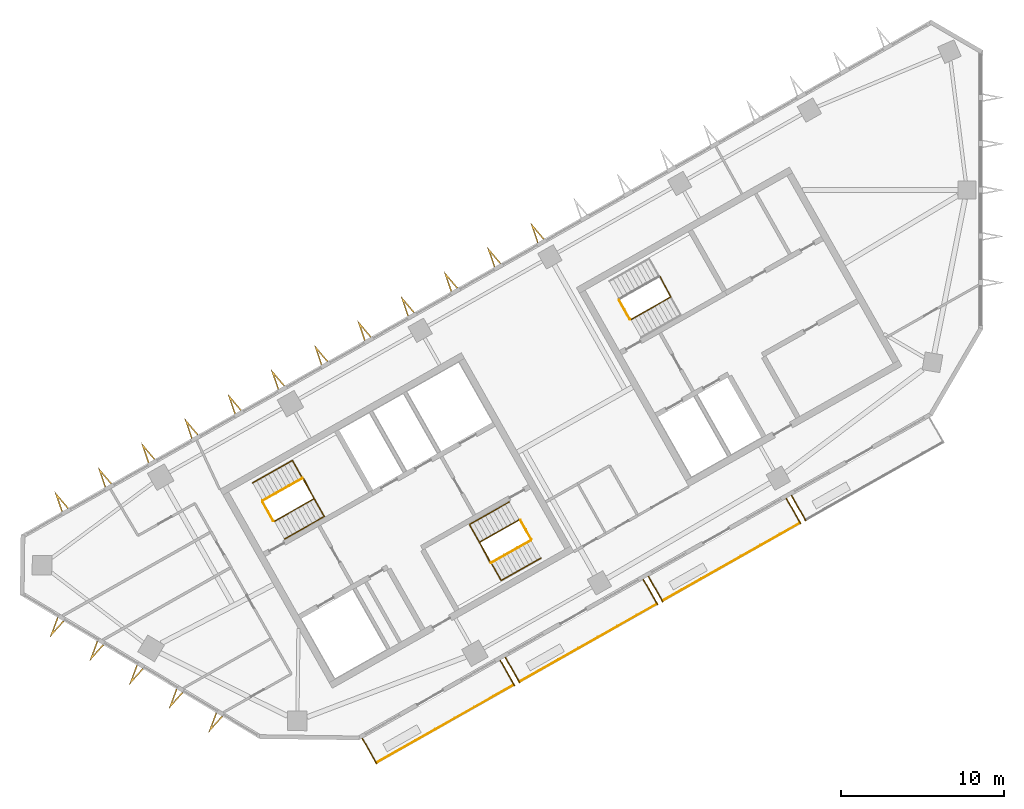
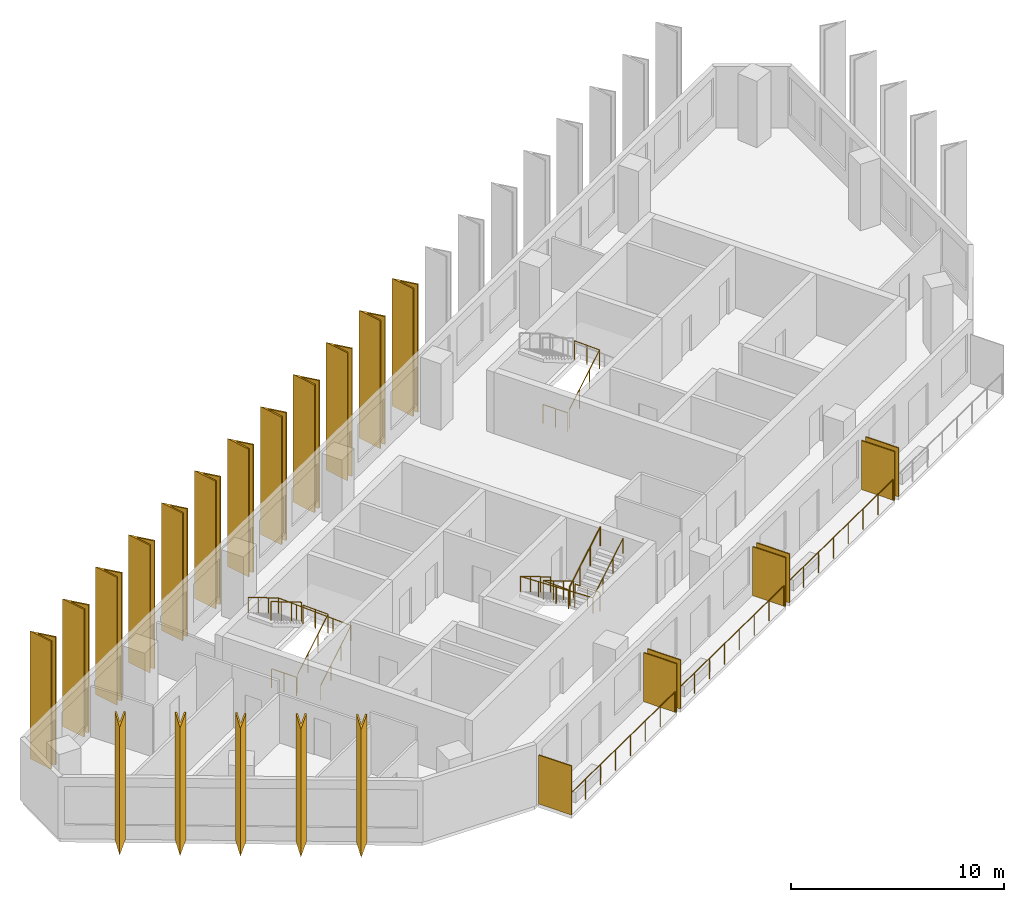
# One storey, part 6 of 8: 24 shading devices, 13 railings.
"""IFC4 building model written with IfcOpenShell, lengths in metres."""

from ifc_helpers import new_model, si_unit, direction, frame, origin, origin_2d, place, context, subcontext, project, spatial, polyline, rectangle, circle, outline, extrude, material, layer, layer_set, type_object, element, save


model = new_model("IFC4")

# Units and contexts
model_context = context("Model", 3, precision=1e-05, world=origin(), true_north=direction((0.0, 1.0)))
body_context = subcontext(model_context, "Body", "Model", "MODEL_VIEW")
ifc_project = project(units=[si_unit("LENGTHUNIT", "METRE"), si_unit("AREAUNIT", "SQUARE_METRE"), si_unit("VOLUMEUNIT", "CUBIC_METRE"), si_unit("PLANEANGLEUNIT", "RADIAN"), si_unit("MASSUNIT", "GRAM", prefix="KILO")], contexts=[model_context])

# Site, building, storey
site_placement = place(None, origin())
site = spatial("IfcSite", under=ifc_project, at=site_placement, CompositionType="ELEMENT")
building_placement = place(site_placement, origin())
building = spatial("IfcBuilding", under=site, at=building_placement, Name="Binnacle Exchange Tower", CompositionType="ELEMENT")
storey_placement = place(building_placement, frame((0.0, 0.0, 300.699951171875)))
storey = spatial("IfcBuildingStorey", under=building, at=storey_placement, Name="L67", CompositionType="ELEMENT", Elevation=300.699951171875)

# Railings
ifc_material_1 = material(Name="Bronze anodised aluminium frame", Category="aluminium")
railing_type_1 = type_object("IfcRailingType", Name="GUARD 1200", PredefinedType="GUARDRAIL", material=ifc_material_1)
for number, where, name in (
    (1, (-37.006591796875, 24.94287109375, 0.0), "Balcony guard H07-B00 L67"),
    (2, (-28.24365234375, 29.900634765625, 0.0), "Balcony guard H07-B01 L67"),
):
    element("IfcRailing", number, at=place(storey_placement, frame(where)), inside=storey, type_object=railing_type_1, Name=name, PredefinedType="GUARDRAIL", context=body_context, shape_type="SweptSolid", body=[
        extrude(circle(Radius=0.02392578125, at=origin_2d()), frame((0.0, 0.0, 1.17578125), z_axis=(0.870359171481, 0.492417417055, 0.0), x_axis=(-0.492417417055, 0.870359171481, 0.0)), (0.0, 0.0, 1.0), 9.648193359375),
        extrude(circle(Radius=0.02099609375, at=origin_2d()), origin(), (0.0, 0.0, 1.0), 1.15185546875),
        extrude(circle(Radius=0.02099609375, at=origin_2d()), frame((1.19970703125, 0.6787109375, 0.0)), (0.0, 0.0, 1.0), 1.15185546875),
        extrude(circle(Radius=0.02099609375, at=origin_2d()), frame((2.399169921875, 1.357421875, 0.0)), (0.0, 0.0, 1.0), 1.15185546875),
        extrude(circle(Radius=0.02099609375, at=origin_2d()), frame((3.598876953125, 2.0361328125, 0.0)), (0.0, 0.0, 1.0), 1.15185546875),
        extrude(circle(Radius=0.02099609375, at=origin_2d()), frame((4.798583984375, 2.71484375, 0.0)), (0.0, 0.0, 1.0), 1.15185546875),
        extrude(circle(Radius=0.02099609375, at=origin_2d()), frame((5.998291015625, 3.3935546875, 0.0)), (0.0, 0.0, 1.0), 1.15185546875),
        extrude(circle(Radius=0.02099609375, at=origin_2d()), frame((7.19775390625, 4.072265625, 0.0)), (0.0, 0.0, 1.0), 1.15185546875),
        extrude(circle(Radius=0.02099609375, at=origin_2d()), frame((8.3974609375, 4.7509765625, 0.0)), (0.0, 0.0, 1.0), 1.15185546875),
    ])
railing_1_placement = place(storey_placement, frame((-19.480712890625, 34.8583984375, 0.0)))
element("IfcRailing", 3, at=railing_1_placement, inside=storey, type_object=railing_type_1, Name="Balcony guard H07-B02 L67", PredefinedType="GUARDRAIL", context=body_context, shape_type="SweptSolid", body=[
    extrude(circle(Radius=0.02392578125, at=origin_2d()), frame((0.0, 0.0, 1.17578125), z_axis=(0.870342190373, 0.492447430349, 0.0), x_axis=(-0.492447430349, 0.870342190373, 0.0)), (0.0, 0.0, 1.0), 9.648193359375),
    extrude(circle(Radius=0.02099609375, at=origin_2d()), origin(), (0.0, 0.0, 1.0), 1.15185546875),
    extrude(circle(Radius=0.02099609375, at=origin_2d()), frame((1.19970703125, 0.6787109375, 0.0)), (0.0, 0.0, 1.0), 1.15185546875),
    extrude(circle(Radius=0.02099609375, at=origin_2d()), frame((2.399169921875, 1.357421875, 0.0)), (0.0, 0.0, 1.0), 1.15185546875),
    extrude(circle(Radius=0.02099609375, at=origin_2d()), frame((3.598876953125, 2.0361328125, 0.0)), (0.0, 0.0, 1.0), 1.15185546875),
    extrude(circle(Radius=0.02099609375, at=origin_2d()), frame((4.79833984375, 2.715087890625, 0.0)), (0.0, 0.0, 1.0), 1.15185546875),
    extrude(circle(Radius=0.02099609375, at=origin_2d()), frame((5.998046875, 3.393798828125, 0.0)), (0.0, 0.0, 1.0), 1.15185546875),
    extrude(circle(Radius=0.02099609375, at=origin_2d()), frame((7.197509765625, 4.072509765625, 0.0)), (0.0, 0.0, 1.0), 1.15185546875),
    extrude(circle(Radius=0.02099609375, at=origin_2d()), frame((8.397216796875, 4.751220703125, 0.0)), (0.0, 0.0, 1.0), 1.15185546875),
])

# Shading devices
ifc_material_2 = material(Name="Bronze aluminium louvre", Category="aluminium")
ifc_layer = layer(ifc_material_2, 0.06005859375)
ifc_layer_set = layer_set([ifc_layer], Name="PLANTED SCREEN 60x2800")
shading_device_type_1 = type_object("IfcShadingDeviceType", Name="PLANTED SCREEN 60x2800", PredefinedType="USERDEFINED", material=ifc_layer_set)
for number, where, z_axis, x_axis, name in (
    (4, (-37.436279296875, 25.641845703125, 0.0), (0.0, 0.0, 1.0), (0.87035569594, 0.492423560103, 0.0), "Planted screen H07-B00a L67"),
    (5, (-28.98681640625, 30.42236328125, 0.0), (0.0, 0.0, 1.0), (0.87035569594, 0.492423560103, 0.0), "Planted screen H07-B00b L67"),
    (6, (-28.673583984375, 30.599609375, 0.0), (0.0, 0.0, 1.0), (0.87035569594, 0.492423560103, 0.0), "Planted screen H07-B01a L67"),
    (7, (-20.223876953125, 35.380126953125, 0.0), (0.0, 0.0, 1.0), (0.87035569594, 0.492423560103, 0.0), "Planted screen H07-B01b L67"),
    (8, (-19.91064453125, 35.5576171875, 0.0), (0.0, 0.0, 1.0), (0.87035569594, 0.492423560103, 0.0), "Planted screen H07-B02a L67"),
    (9, (-11.461181640625, 40.337890625, 0.0), (0.0, 0.0, 1.0), (0.87035569594, 0.492423560103, 0.0), "Planted screen H07-B02b L67"),
    (10, (-11.147705078125, 40.51513671875, 0.0), (0.0, 0.0, 1.0), (0.87035569594, 0.492423560103, 0.0), "Planted screen H07-B03a L67"),
):
    element("IfcShadingDevice", number, at=place(storey_placement, frame(where, z_axis=z_axis, x_axis=x_axis)), inside=storey, type_object=shading_device_type_1, Name=name, ObjectType="SCREEN", PredefinedType="USERDEFINED", context=body_context, shape_type="SweptSolid", body=[
        extrude(rectangle(XDim=0.06005859375, YDim=1.800048828125, at=origin_2d()), origin(), (0.0, 0.0, 1.0), 2.800048828125),
    ])

# Railings
ifc_material_3 = material(Name="Steel guard rail", Category="steel")
railing_type_2 = type_object("IfcRailingType", Name="STAIR GUARD 1100", PredefinedType="GUARDRAIL", material=ifc_material_3)
railing_2_placement = place(storey_placement, frame((-43.26171875, 39.71728515625, 0.1728515625)))
element("IfcRailing", 11, at=railing_2_placement, inside=storey, type_object=railing_type_2, Name="L67 STA1 stair guard 1", PredefinedType="GUARDRAIL", context=body_context, shape_type="SweptSolid", body=[
    extrude(circle(Radius=0.02392578125, at=origin_2d()), frame((0.0, 0.0, 1.076171875), z_axis=(0.740737961854, 0.419123222656, 0.525017138862), x_axis=(-0.492453686477, 0.870338650569, 0.0)), (0.0, 0.0, 1.0), 3.2900390625),
    extrude(circle(Radius=0.02392578125, at=origin_2d()), frame((2.43701171875, 1.37890625, 2.80322265625), z_axis=(-0.461100321709, 0.887348011391, 0.0), x_axis=(-0.887348011391, -0.461100321709, 0.0)), (0.0, 0.0, 1.0), 1.40087890625),
    extrude(circle(Radius=0.02099609375, at=origin_2d()), origin(), (0.0, 0.0, 1.0), 1.052001953125),
    extrude(circle(Radius=0.02099609375, at=origin_2d()), frame((0.812255859375, 0.459716796875, 0.57568359375)), (0.0, 0.0, 1.0), 1.052001953125),
    extrude(circle(Radius=0.02099609375, at=origin_2d()), frame((1.624755859375, 0.919189453125, 1.151611328125)), (0.0, 0.0, 1.0), 1.052001953125),
    extrude(circle(Radius=0.02099609375, at=origin_2d()), frame((2.43701171875, 1.37890625, 1.727294921875)), (0.0, 0.0, 1.0), 1.052001953125),
    extrude(circle(Radius=0.02099609375, at=origin_2d()), frame((2.114013671875, 2.00048828125, 1.727294921875)), (0.0, 0.0, 1.0), 1.052001953125),
    extrude(circle(Radius=0.02099609375, at=origin_2d()), frame((1.791015625, 2.6220703125, 1.727294921875)), (0.0, 0.0, 1.0), 1.052001953125),
])
railing_3_placement = place(storey_placement, frame((-41.538818359375, 42.358154296875, 2.07275390625)))
element("IfcRailing", 12, at=railing_3_placement, inside=storey, type_object=railing_type_2, Name="L67 STA1 stair guard 2", PredefinedType="GUARDRAIL", context=body_context, shape_type="SweptSolid", body=[
    extrude(circle(Radius=0.02392578125, at=origin_2d()), frame((0.0, 0.0, 1.076171875), z_axis=(-0.740737961854, -0.419123222656, 0.525017138862), x_axis=(0.492453686477, -0.870338650569, 0.0)), (0.0, 0.0, 1.0), 3.2900390625),
    extrude(circle(Radius=0.02099609375, at=origin_2d()), origin(), (0.0, 0.0, 1.0), 1.052001953125),
    extrude(circle(Radius=0.02099609375, at=origin_2d()), frame((-0.812255859375, -0.459716796875, 0.57568359375)), (0.0, 0.0, 1.0), 1.052001953125),
    extrude(circle(Radius=0.02099609375, at=origin_2d()), frame((-1.624755859375, -0.919189453125, 1.151611328125)), (0.0, 0.0, 1.0), 1.052001953125),
    extrude(circle(Radius=0.02099609375, at=origin_2d()), frame((-2.43701171875, -1.37890625, 1.727294921875)), (0.0, 0.0, 1.0), 1.052001953125),
])
railing_4_placement = place(storey_placement, frame((-43.329833984375, 39.736328125, 0.0)))
element("IfcRailing", 13, at=railing_4_placement, inside=storey, type_object=railing_type_2, Name="L67 STA1 stair guard 3", PredefinedType="GUARDRAIL", context=body_context, shape_type="SweptSolid", body=[
    extrude(circle(Radius=0.02392578125, at=origin_2d()), frame((0.0, 0.0, 1.076171875), z_axis=(-0.4924922531, 0.870316827734, 0.0), x_axis=(-0.870316827734, -0.4924922531, 0.0)), (0.0, 0.0, 1.0), 1.349853515625),
    extrude(circle(Radius=0.02099609375, at=origin_2d()), origin(), (0.0, 0.0, 1.0), 1.052001953125),
    extrude(circle(Radius=0.02099609375, at=origin_2d()), frame((-0.33251953125, 0.58740234375, 0.0)), (0.0, 0.0, 1.0), 1.052001953125),
    extrude(circle(Radius=0.02099609375, at=origin_2d()), frame((-0.664794921875, 1.1748046875, 0.0)), (0.0, 0.0, 1.0), 1.052001953125),
])
railing_5_placement = place(storey_placement, frame((-28.265380859375, 39.814453125, 0.1728515625)))
element("IfcRailing", 14, at=railing_5_placement, inside=storey, type_object=railing_type_2, Name="L67 STA2 stair guard 1", PredefinedType="GUARDRAIL", context=body_context, shape_type="SweptSolid", body=[
    extrude(circle(Radius=0.02392578125, at=origin_2d()), frame((0.0, 0.0, 1.076171875), z_axis=(-0.740760999345, -0.419062048017, 0.525033467278), x_axis=(0.492387636113, -0.870376019777, 0.0)), (0.0, 0.0, 1.0), 3.289794921875),
    extrude(circle(Radius=0.02392578125, at=origin_2d()), frame((-2.43701171875, -1.378662109375, 2.80322265625), z_axis=(0.460963092712, -0.887419307406, 0.0), x_axis=(0.887419307406, 0.460963092712, 0.0)), (0.0, 0.0, 1.0), 1.40087890625),
    extrude(circle(Radius=0.02099609375, at=origin_2d()), origin(), (0.0, 0.0, 1.0), 1.052001953125),
    extrude(circle(Radius=0.02099609375, at=origin_2d()), frame((-0.812255859375, -0.45947265625, 0.57568359375)), (0.0, 0.0, 1.0), 1.052001953125),
    extrude(circle(Radius=0.02099609375, at=origin_2d()), frame((-1.624755859375, -0.919189453125, 1.151611328125)), (0.0, 0.0, 1.0), 1.052001953125),
    extrude(circle(Radius=0.02099609375, at=origin_2d()), frame((-2.43701171875, -1.378662109375, 1.727294921875)), (0.0, 0.0, 1.0), 1.052001953125),
    extrude(circle(Radius=0.02099609375, at=origin_2d()), frame((-2.1142578125, -2.000244140625, 1.727294921875)), (0.0, 0.0, 1.0), 1.052001953125),
    extrude(circle(Radius=0.02099609375, at=origin_2d()), frame((-1.791259765625, -2.621826171875, 1.727294921875)), (0.0, 0.0, 1.0), 1.052001953125),
])
railing_6_placement = place(storey_placement, frame((-29.988525390625, 37.173583984375, 2.07275390625)))
element("IfcRailing", 15, at=railing_6_placement, inside=storey, type_object=railing_type_2, Name="L67 STA2 stair guard 2", PredefinedType="GUARDRAIL", context=body_context, shape_type="SweptSolid", body=[
    extrude(circle(Radius=0.02392578125, at=origin_2d()), frame((0.0, 0.0, 1.076171875), z_axis=(0.740737961854, 0.419123222656, 0.525017138862), x_axis=(-0.492453686477, 0.870338650569, 0.0)), (0.0, 0.0, 1.0), 3.2900390625),
    extrude(circle(Radius=0.02099609375, at=origin_2d()), origin(), (0.0, 0.0, 1.0), 1.052001953125),
    extrude(circle(Radius=0.02099609375, at=origin_2d()), frame((0.812255859375, 0.459716796875, 0.57568359375)), (0.0, 0.0, 1.0), 1.052001953125),
    extrude(circle(Radius=0.02099609375, at=origin_2d()), frame((1.624755859375, 0.919189453125, 1.151611328125)), (0.0, 0.0, 1.0), 1.052001953125),
    extrude(circle(Radius=0.02099609375, at=origin_2d()), frame((2.43701171875, 1.37890625, 1.727294921875)), (0.0, 0.0, 1.0), 1.052001953125),
])
railing_7_placement = place(storey_placement, frame((-28.197265625, 39.795654296875, 0.0)))
element("IfcRailing", 16, at=railing_7_placement, inside=storey, type_object=railing_type_2, Name="L67 STA2 stair guard 3", PredefinedType="GUARDRAIL", context=body_context, shape_type="SweptSolid", body=[
    extrude(circle(Radius=0.02392578125, at=origin_2d()), frame((0.0, 0.0, 1.076171875), z_axis=(0.49241474071, -0.870360685654, 0.0), x_axis=(0.870360685654, 0.49241474071, 0.0)), (0.0, 0.0, 1.0), 1.35009765625),
    extrude(circle(Radius=0.02099609375, at=origin_2d()), origin(), (0.0, 0.0, 1.0), 1.052001953125),
    extrude(circle(Radius=0.02099609375, at=origin_2d()), frame((0.33251953125, -0.58740234375, 0.0)), (0.0, 0.0, 1.0), 1.052001953125),
    extrude(circle(Radius=0.02099609375, at=origin_2d()), frame((0.664794921875, -1.175048828125, 0.0)), (0.0, 0.0, 1.0), 1.052001953125),
])
railing_8_placement = place(storey_placement, frame((-21.423828125, 52.07275390625, 0.1728515625)))
element("IfcRailing", 17, at=railing_8_placement, inside=storey, type_object=railing_type_2, Name="L67 STC1 stair guard 1", PredefinedType="GUARDRAIL", context=body_context, shape_type="SweptSolid", body=[
    extrude(circle(Radius=0.02392578125, at=origin_2d()), frame((0.0, 0.0, 1.076171875), z_axis=(0.740760999345, 0.419062048017, 0.525033467278), x_axis=(-0.492387636113, 0.870376019777, 0.0)), (0.0, 0.0, 1.0), 3.289794921875),
    extrude(circle(Radius=0.02392578125, at=origin_2d()), frame((2.43701171875, 1.378662109375, 2.80322265625), z_axis=(-0.460963092712, 0.887419307406, 0.0), x_axis=(-0.887419307406, -0.460963092712, 0.0)), (0.0, 0.0, 1.0), 1.40087890625),
    extrude(circle(Radius=0.02099609375, at=origin_2d()), origin(), (0.0, 0.0, 1.0), 1.052001953125),
    extrude(circle(Radius=0.02099609375, at=origin_2d()), frame((0.812255859375, 0.45947265625, 0.57568359375)), (0.0, 0.0, 1.0), 1.052001953125),
    extrude(circle(Radius=0.02099609375, at=origin_2d()), frame((1.624755859375, 0.919189453125, 1.151611328125)), (0.0, 0.0, 1.0), 1.052001953125),
    extrude(circle(Radius=0.02099609375, at=origin_2d()), frame((2.43701171875, 1.378662109375, 1.727294921875)), (0.0, 0.0, 1.0), 1.052001953125),
    extrude(circle(Radius=0.02099609375, at=origin_2d()), frame((2.1142578125, 2.000244140625, 1.727294921875)), (0.0, 0.0, 1.0), 1.052001953125),
    extrude(circle(Radius=0.02099609375, at=origin_2d()), frame((1.791259765625, 2.621826171875, 1.727294921875)), (0.0, 0.0, 1.0), 1.052001953125),
])
railing_9_placement = place(storey_placement, frame((-21.491943359375, 52.091552734375, 0.0)))
element("IfcRailing", 18, at=railing_9_placement, inside=storey, type_object=railing_type_2, Name="L67 STC1 stair guard 3", PredefinedType="GUARDRAIL", context=body_context, shape_type="SweptSolid", body=[
    extrude(circle(Radius=0.02392578125, at=origin_2d()), frame((0.0, 0.0, 1.076171875), z_axis=(-0.49241474071, 0.870360685654, 0.0), x_axis=(-0.870360685654, -0.49241474071, 0.0)), (0.0, 0.0, 1.0), 1.35009765625),
    extrude(circle(Radius=0.02099609375, at=origin_2d()), origin(), (0.0, 0.0, 1.0), 1.052001953125),
    extrude(circle(Radius=0.02099609375, at=origin_2d()), frame((-0.33251953125, 0.58740234375, 0.0)), (0.0, 0.0, 1.0), 1.052001953125),
    extrude(circle(Radius=0.02099609375, at=origin_2d()), frame((-0.664794921875, 1.175048828125, 0.0)), (0.0, 0.0, 1.0), 1.052001953125),
])
ifc_material_4 = material(Name="Steel handrail", Category="steel")
railing_type_3 = type_object("IfcRailingType", Name="STAIR HANDRAIL 900", PredefinedType="HANDRAIL", material=ifc_material_4)
railing_10_placement = place(storey_placement, frame((-42.646240234375, 38.62939453125, 0.1728515625)))
element("IfcRailing", 19, at=railing_10_placement, inside=storey, type_object=railing_type_3, Name="L67 STA1 stair handrail 1", PredefinedType="HANDRAIL", context=body_context, shape_type="SweptSolid", body=[
    extrude(circle(Radius=0.02392578125, at=origin_2d()), frame((0.0, 0.0, 0.8759765625), z_axis=(0.740760999345, 0.419062048017, 0.525033467278), x_axis=(-0.492387636113, 0.870376019777, 0.0)), (0.0, 0.0, 1.0), 3.289794921875),
    extrude(circle(Radius=0.02392578125, at=origin_2d()), frame((2.43701171875, 1.378662109375, 2.60302734375), z_axis=(-0.491944173491, 0.869531549026, 0.043655645871), x_axis=(-0.870361318571, -0.492413622004, 0.0)), (0.0, 0.0, 1.0), 3.953857421875),
    extrude(circle(Radius=0.02392578125, at=origin_2d()), frame((0.491943359375, 4.816650390625, 2.77587890625), z_axis=(-0.740760999345, -0.419062048017, 0.525033467278), x_axis=(0.492387636113, -0.870376019777, 0.0)), (0.0, 0.0, 1.0), 3.289794921875),
    extrude(circle(Radius=0.02099609375, at=origin_2d()), origin(), (0.0, 0.0, 1.0), 0.851806640625),
    extrude(circle(Radius=0.02099609375, at=origin_2d()), frame((0.812255859375, 0.45947265625, 0.57568359375)), (0.0, 0.0, 1.0), 0.851806640625),
    extrude(circle(Radius=0.02099609375, at=origin_2d()), frame((1.624755859375, 0.919189453125, 1.151611328125)), (0.0, 0.0, 1.0), 0.851806640625),
    extrude(circle(Radius=0.02099609375, at=origin_2d()), frame((2.43701171875, 1.378662109375, 1.727294921875)), (0.0, 0.0, 1.0), 0.851806640625),
    extrude(circle(Radius=0.02099609375, at=origin_2d()), frame((1.95068359375, 2.23828125, 1.7705078125)), (0.0, 0.0, 1.0), 0.851806640625),
    extrude(circle(Radius=0.02099609375, at=origin_2d()), frame((1.46435546875, 3.09765625, 1.8134765625)), (0.0, 0.0, 1.0), 0.851806640625),
    extrude(circle(Radius=0.02099609375, at=origin_2d()), frame((0.978271484375, 3.95703125, 1.856689453125)), (0.0, 0.0, 1.0), 0.851806640625),
    extrude(circle(Radius=0.02099609375, at=origin_2d()), frame((0.491943359375, 4.816650390625, 1.89990234375)), (0.0, 0.0, 1.0), 0.851806640625),
    extrude(circle(Radius=0.02099609375, at=origin_2d()), frame((-0.3203125, 4.357177734375, 2.4755859375)), (0.0, 0.0, 1.0), 0.851806640625),
    extrude(circle(Radius=0.02099609375, at=origin_2d()), frame((-1.1328125, 3.8974609375, 3.051513671875)), (0.0, 0.0, 1.0), 0.851806640625),
    extrude(circle(Radius=0.02099609375, at=origin_2d()), frame((-1.945068359375, 3.43798828125, 3.627197265625)), (0.0, 0.0, 1.0), 0.851806640625),
])
railing_11_placement = place(storey_placement, frame((-28.880859375, 40.90234375, 0.1728515625)))
element("IfcRailing", 20, at=railing_11_placement, inside=storey, type_object=railing_type_3, Name="L67 STA2 stair handrail 1", PredefinedType="HANDRAIL", context=body_context, shape_type="SweptSolid", body=[
    extrude(circle(Radius=0.02392578125, at=origin_2d()), frame((0.0, 0.0, 0.8759765625), z_axis=(-0.740760999345, -0.419062048017, 0.525033467278), x_axis=(0.492387636113, -0.870376019777, 0.0)), (0.0, 0.0, 1.0), 3.289794921875),
    extrude(circle(Radius=0.02392578125, at=origin_2d()), frame((-2.43701171875, -1.378662109375, 2.60302734375), z_axis=(0.491944173491, -0.869531549026, 0.043655645871), x_axis=(0.870361318571, 0.492413622004, 0.0)), (0.0, 0.0, 1.0), 3.953857421875),
    extrude(circle(Radius=0.02392578125, at=origin_2d()), frame((-0.491943359375, -4.816650390625, 2.77587890625), z_axis=(0.740737961854, 0.419123222656, 0.525017138862), x_axis=(-0.492453686477, 0.870338650569, 0.0)), (0.0, 0.0, 1.0), 3.2900390625),
    extrude(circle(Radius=0.02099609375, at=origin_2d()), origin(), (0.0, 0.0, 1.0), 0.851806640625),
    extrude(circle(Radius=0.02099609375, at=origin_2d()), frame((-0.812255859375, -0.45947265625, 0.57568359375)), (0.0, 0.0, 1.0), 0.851806640625),
    extrude(circle(Radius=0.02099609375, at=origin_2d()), frame((-1.624755859375, -0.919189453125, 1.151611328125)), (0.0, 0.0, 1.0), 0.851806640625),
    extrude(circle(Radius=0.02099609375, at=origin_2d()), frame((-2.43701171875, -1.378662109375, 1.727294921875)), (0.0, 0.0, 1.0), 0.851806640625),
    extrude(circle(Radius=0.02099609375, at=origin_2d()), frame((-1.95068359375, -2.23828125, 1.7705078125)), (0.0, 0.0, 1.0), 0.851806640625),
    extrude(circle(Radius=0.02099609375, at=origin_2d()), frame((-1.46435546875, -3.09765625, 1.8134765625)), (0.0, 0.0, 1.0), 0.851806640625),
    extrude(circle(Radius=0.02099609375, at=origin_2d()), frame((-0.978271484375, -3.95703125, 1.856689453125)), (0.0, 0.0, 1.0), 0.851806640625),
    extrude(circle(Radius=0.02099609375, at=origin_2d()), frame((-0.491943359375, -4.816650390625, 1.89990234375)), (0.0, 0.0, 1.0), 0.851806640625),
    extrude(circle(Radius=0.02099609375, at=origin_2d()), frame((0.3203125, -4.35693359375, 2.4755859375)), (0.0, 0.0, 1.0), 0.851806640625),
    extrude(circle(Radius=0.02099609375, at=origin_2d()), frame((1.1328125, -3.8974609375, 3.051513671875)), (0.0, 0.0, 1.0), 0.851806640625),
    extrude(circle(Radius=0.02099609375, at=origin_2d()), frame((1.945068359375, -3.437744140625, 3.627197265625)), (0.0, 0.0, 1.0), 0.851806640625),
])

# Shading devices
ifc_material_5 = material(Name="Bronze aluminium cladding", Category="aluminium")
shading_device_type_2 = type_object("IfcShadingDeviceType", Name="V FIN 1300 DEEP x 7320 HIGH", PredefinedType="USERDEFINED", material=ifc_material_5)
shading_device_1_placement = place(storey_placement, origin())
element("IfcShadingDevice", 21, at=shading_device_1_placement, inside=storey, type_object=shading_device_type_2, Name="V fin FN-H03-09 L67", ObjectType="FIN", PredefinedType="USERDEFINED", context=body_context, shape_type="SweptSolid", body=[
    extrude(outline(polyline([(-26.72900390625, 57.02099609375), (-27.586669921875, 58.029541015625), (-27.1640625, 56.77490234375), (-27.09326171875, 56.81494140625), (-27.3779296875, 57.660888671875), (-26.7998046875, 56.98095703125), (-26.72900390625, 57.02099609375)])), origin(), (0.0, 0.0, 1.0), 7.320068359375),
])
shading_device_2_placement = place(storey_placement, origin())
element("IfcShadingDevice", 22, at=shading_device_2_placement, inside=storey, type_object=shading_device_type_2, Name="V fin FN-H03-10 L67", ObjectType="FIN", PredefinedType="USERDEFINED", context=body_context, shape_type="SweptSolid", body=[
    extrude(outline(polyline([(-29.377685546875, 55.5224609375), (-30.2353515625, 56.531005859375), (-29.812744140625, 55.2763671875), (-29.741943359375, 55.31640625), (-30.026611328125, 56.162109375), (-29.448486328125, 55.482421875), (-29.377685546875, 55.5224609375)])), origin(), (0.0, 0.0, 1.0), 7.320068359375),
])
shading_device_3_placement = place(storey_placement, origin())
element("IfcShadingDevice", 23, at=shading_device_3_placement, inside=storey, type_object=shading_device_type_2, Name="V fin FN-H03-11 L67", ObjectType="FIN", PredefinedType="USERDEFINED", context=body_context, shape_type="SweptSolid", body=[
    extrude(outline(polyline([(-32.0263671875, 54.02392578125), (-32.884033203125, 55.032470703125), (-32.46142578125, 53.77783203125), (-32.390625, 53.81787109375), (-32.67529296875, 54.663818359375), (-32.09716796875, 53.98388671875), (-32.0263671875, 54.02392578125)])), origin(), (0.0, 0.0, 1.0), 7.320068359375),
])
shading_device_4_placement = place(storey_placement, origin())
element("IfcShadingDevice", 24, at=shading_device_4_placement, inside=storey, type_object=shading_device_type_2, Name="V fin FN-H03-12 L67", ObjectType="FIN", PredefinedType="USERDEFINED", context=body_context, shape_type="SweptSolid", body=[
    extrude(outline(polyline([(-34.675048828125, 52.525390625), (-35.53271484375, 53.53369140625), (-35.110107421875, 52.279296875), (-35.039306640625, 52.3193359375), (-35.32421875, 53.1650390625), (-34.745849609375, 52.4853515625), (-34.675048828125, 52.525390625)])), origin(), (0.0, 0.0, 1.0), 7.320068359375),
])
shading_device_5_placement = place(storey_placement, origin())
element("IfcShadingDevice", 25, at=shading_device_5_placement, inside=storey, type_object=shading_device_type_2, Name="V fin FN-H03-13 L67", ObjectType="FIN", PredefinedType="USERDEFINED", context=body_context, shape_type="SweptSolid", body=[
    extrude(outline(polyline([(-37.32373046875, 51.02685546875), (-38.181640625, 52.03515625), (-37.759033203125, 50.780517578125), (-37.68798828125, 50.82080078125), (-37.972900390625, 51.66650390625), (-37.394775390625, 50.98681640625), (-37.32373046875, 51.02685546875)])), origin(), (0.0, 0.0, 1.0), 7.320068359375),
])
shading_device_6_placement = place(storey_placement, origin())
element("IfcShadingDevice", 26, at=shading_device_6_placement, inside=storey, type_object=shading_device_type_2, Name="V fin FN-H03-14 L67", ObjectType="FIN", PredefinedType="USERDEFINED", context=body_context, shape_type="SweptSolid", body=[
    extrude(outline(polyline([(-39.972412109375, 49.5283203125), (-40.830322265625, 50.53662109375), (-40.40771484375, 49.281982421875), (-40.3369140625, 49.322021484375), (-40.62158203125, 50.16796875), (-40.04345703125, 49.488037109375), (-39.972412109375, 49.5283203125)])), origin(), (0.0, 0.0, 1.0), 7.320068359375),
])
shading_device_7_placement = place(storey_placement, origin())
element("IfcShadingDevice", 27, at=shading_device_7_placement, inside=storey, type_object=shading_device_type_2, Name="V fin FN-H03-15 L67", ObjectType="FIN", PredefinedType="USERDEFINED", context=body_context, shape_type="SweptSolid", body=[
    extrude(outline(polyline([(-42.621337890625, 48.029541015625), (-43.47900390625, 49.0380859375), (-43.056396484375, 47.783447265625), (-42.985595703125, 47.823486328125), (-43.2705078125, 48.669189453125), (-42.692138671875, 47.989501953125), (-42.621337890625, 48.029541015625)])), origin(), (0.0, 0.0, 1.0), 7.320068359375),
])
shading_device_8_placement = place(storey_placement, origin())
element("IfcShadingDevice", 28, at=shading_device_8_placement, inside=storey, type_object=shading_device_type_2, Name="V fin FN-H03-16 L67", ObjectType="FIN", PredefinedType="USERDEFINED", context=body_context, shape_type="SweptSolid", body=[
    extrude(outline(polyline([(-45.27001953125, 46.531005859375), (-46.127685546875, 47.539306640625), (-45.705078125, 46.284912109375), (-45.63427734375, 46.324951171875), (-45.919189453125, 47.170654296875), (-45.3408203125, 46.490966796875), (-45.27001953125, 46.531005859375)])), origin(), (0.0, 0.0, 1.0), 7.320068359375),
])
shading_device_9_placement = place(storey_placement, origin())
element("IfcShadingDevice", 29, at=shading_device_9_placement, inside=storey, type_object=shading_device_type_2, Name="V fin FN-H03-17 L67", ObjectType="FIN", PredefinedType="USERDEFINED", context=body_context, shape_type="SweptSolid", body=[
    extrude(outline(polyline([(-47.918701171875, 45.032470703125), (-48.776611328125, 46.040771484375), (-48.35400390625, 44.7861328125), (-48.283203125, 44.826416015625), (-48.56787109375, 45.672119140625), (-47.98974609375, 44.9921875), (-47.918701171875, 45.032470703125)])), origin(), (0.0, 0.0, 1.0), 7.320068359375),
])
shading_device_10_placement = place(storey_placement, origin())
element("IfcShadingDevice", 30, at=shading_device_10_placement, inside=storey, type_object=shading_device_type_2, Name="V fin FN-H03-18 L67", ObjectType="FIN", PredefinedType="USERDEFINED", context=body_context, shape_type="SweptSolid", body=[
    extrude(outline(polyline([(-50.5673828125, 43.533935546875), (-51.42529296875, 44.542236328125), (-51.002685546875, 43.28759765625), (-50.931884765625, 43.327880859375), (-51.216552734375, 44.173583984375), (-50.638427734375, 43.493896484375), (-50.5673828125, 43.533935546875)])), origin(), (0.0, 0.0, 1.0), 7.320068359375),
])
shading_device_11_placement = place(storey_placement, origin())
element("IfcShadingDevice", 31, at=shading_device_11_placement, inside=storey, type_object=shading_device_type_2, Name="V fin FN-H03-19 L67", ObjectType="FIN", PredefinedType="USERDEFINED", context=body_context, shape_type="SweptSolid", body=[
    extrude(outline(polyline([(-53.21630859375, 42.035400390625), (-54.073974609375, 43.043701171875), (-53.6513671875, 41.7890625), (-53.58056640625, 41.8291015625), (-53.865234375, 42.675048828125), (-53.287109375, 41.9951171875), (-53.21630859375, 42.035400390625)])), origin(), (0.0, 0.0, 1.0), 7.320068359375),
])
shading_device_12_placement = place(storey_placement, origin())
element("IfcShadingDevice", 32, at=shading_device_12_placement, inside=storey, type_object=shading_device_type_2, Name="V fin FN-H03-20 L67", ObjectType="FIN", PredefinedType="USERDEFINED", context=body_context, shape_type="SweptSolid", body=[
    extrude(outline(polyline([(-55.864990234375, 40.53662109375), (-56.722900390625, 41.545166015625), (-56.30029296875, 40.29052734375), (-56.229248046875, 40.33056640625), (-56.51416015625, 41.176513671875), (-55.935791015625, 40.49658203125), (-55.864990234375, 40.53662109375)])), origin(), (0.0, 0.0, 1.0), 7.320068359375),
])
shading_device_13_placement = place(storey_placement, origin())
element("IfcShadingDevice", 33, at=shading_device_13_placement, inside=storey, type_object=shading_device_type_2, Name="V fin FN-H05-01 L67", ObjectType="FIN", PredefinedType="USERDEFINED", context=body_context, shape_type="SweptSolid", body=[
    extrude(outline(polyline([(-56.566162109375, 33.842529296875), (-57.021240234375, 32.599365234375), (-56.137451171875, 33.5849609375), (-56.207275390625, 33.626953125), (-56.80322265625, 32.96240234375), (-56.496337890625, 33.800537109375), (-56.566162109375, 33.842529296875)])), origin(), (0.0, 0.0, 1.0), 7.320068359375),
])
shading_device_14_placement = place(storey_placement, origin())
element("IfcShadingDevice", 34, at=shading_device_14_placement, inside=storey, type_object=shading_device_type_2, Name="V fin FN-H05-02 L67", ObjectType="FIN", PredefinedType="USERDEFINED", context=body_context, shape_type="SweptSolid", body=[
    extrude(outline(polyline([(-54.137451171875, 32.38330078125), (-54.592529296875, 31.14013671875), (-53.708740234375, 32.12548828125), (-53.778564453125, 32.16748046875), (-54.37451171875, 31.503173828125), (-54.067626953125, 32.34130859375), (-54.137451171875, 32.38330078125)])), origin(), (0.0, 0.0, 1.0), 7.320068359375),
])
shading_device_15_placement = place(storey_placement, origin())
element("IfcShadingDevice", 35, at=shading_device_15_placement, inside=storey, type_object=shading_device_type_2, Name="V fin FN-H05-03 L67", ObjectType="FIN", PredefinedType="USERDEFINED", context=body_context, shape_type="SweptSolid", body=[
    extrude(outline(polyline([(-51.708740234375, 30.923828125), (-52.1640625, 29.680908203125), (-51.2802734375, 30.666259765625), (-51.35009765625, 30.708251953125), (-51.94580078125, 30.0439453125), (-51.638916015625, 30.8818359375), (-51.708740234375, 30.923828125)])), origin(), (0.0, 0.0, 1.0), 7.320068359375),
])
shading_device_16_placement = place(storey_placement, origin())
element("IfcShadingDevice", 36, at=shading_device_16_placement, inside=storey, type_object=shading_device_type_2, Name="V fin FN-H05-04 L67", ObjectType="FIN", PredefinedType="USERDEFINED", context=body_context, shape_type="SweptSolid", body=[
    extrude(outline(polyline([(-49.280029296875, 29.464599609375), (-49.7353515625, 28.2216796875), (-48.8515625, 29.20703125), (-48.92138671875, 29.2490234375), (-49.51708984375, 28.584716796875), (-49.210205078125, 29.422607421875), (-49.280029296875, 29.464599609375)])), origin(), (0.0, 0.0, 1.0), 7.320068359375),
])
shading_device_17_placement = place(storey_placement, origin())
element("IfcShadingDevice", 37, at=shading_device_17_placement, inside=storey, type_object=shading_device_type_2, Name="V fin FN-H05-05 L67", ObjectType="FIN", PredefinedType="USERDEFINED", context=body_context, shape_type="SweptSolid", body=[
    extrude(outline(polyline([(-46.8515625, 28.00537109375), (-47.306640625, 26.76220703125), (-46.4228515625, 27.747802734375), (-46.49267578125, 27.789794921875), (-47.088623046875, 27.12548828125), (-46.78173828125, 27.96337890625), (-46.8515625, 28.00537109375)])), origin(), (0.0, 0.0, 1.0), 7.320068359375),
])

save(model, "model.ifc")
